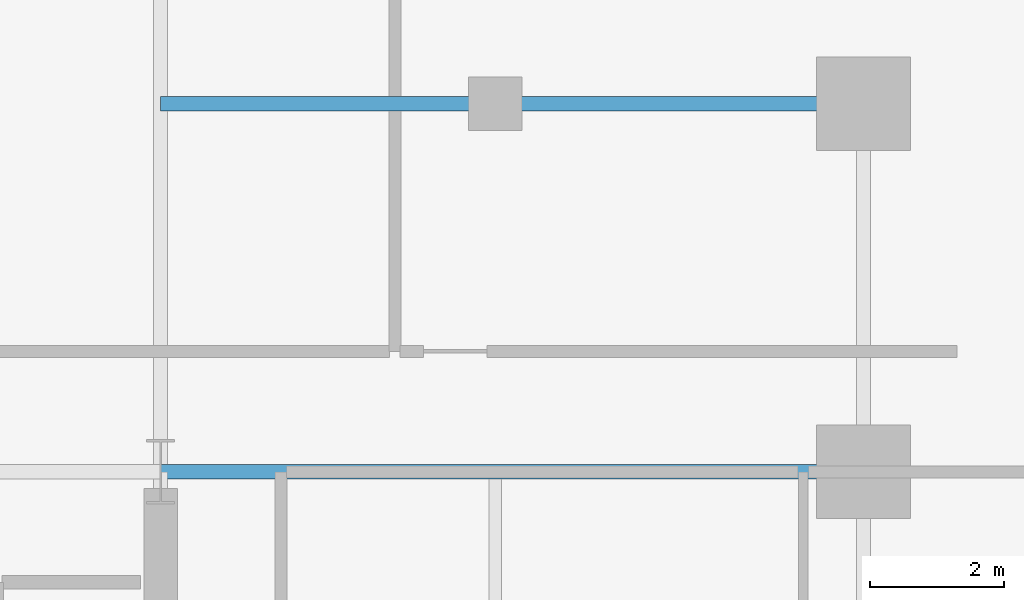
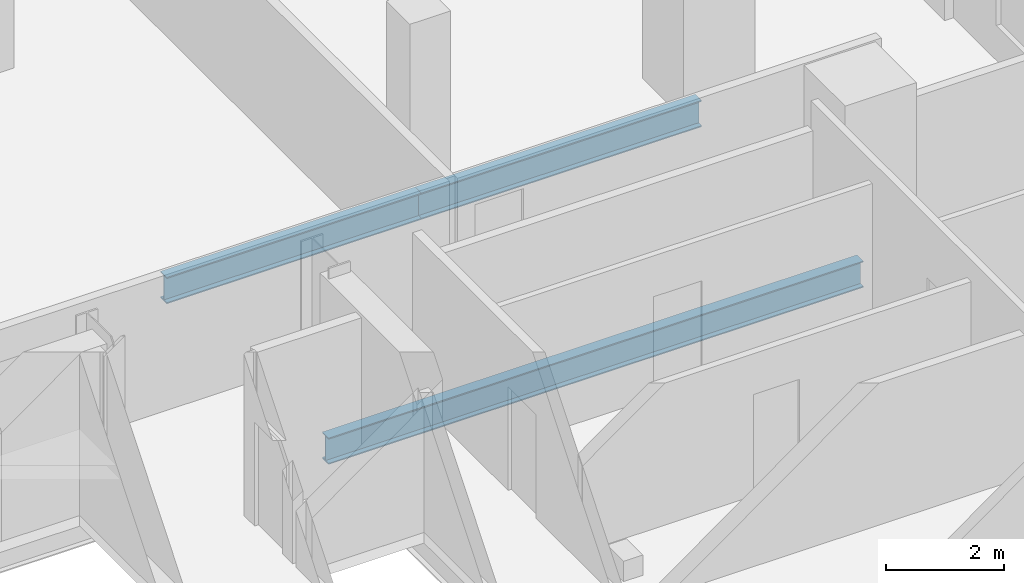
# One storey, part 14 of 23: 3 beams.
"""IFC4 building model written with IfcOpenShell, lengths in metres."""

from ifc_helpers import new_model, si_unit, direction, frame, origin, origin_2d, place, context, subcontext, project, spatial, i_section, extrude, material, material_profile, profile_set, type_object, element, save


model = new_model("IFC4")

# Units and contexts
model_context = context("Model", 3, precision=1e-05, world=origin(), true_north=direction((0.0, 1.0)))
body_context = subcontext(model_context, "Body", "Model", "MODEL_VIEW")
ifc_project = project(units=[si_unit("LENGTHUNIT", "METRE"), si_unit("AREAUNIT", "SQUARE_METRE"), si_unit("VOLUMEUNIT", "CUBIC_METRE"), si_unit("PLANEANGLEUNIT", "RADIAN"), si_unit("MASSUNIT", "GRAM", prefix="KILO")], contexts=[model_context])

# Site, building, storey
site_placement = place(None, origin())
site = spatial("IfcSite", under=ifc_project, at=site_placement, CompositionType="ELEMENT")
building_placement = place(site_placement, origin())
building = spatial("IfcBuilding", under=site, at=building_placement, Name="Barlavira Tower and Art Museum", CompositionType="ELEMENT")
storey_placement = place(building_placement, frame((0.0, 0.0, 68.39990234375)))
storey = spatial("IfcBuildingStorey", under=building, at=storey_placement, Name="L16", CompositionType="ELEMENT", Elevation=68.39990234375)

# Beams
ifc_material = material(Name="Steel S355", Category="steel")
ifc_material_profile = material_profile(ifc_material, i_section(OverallWidth=0.214111328125, OverallDepth=0.549072265625, WebThickness=0.0146484375, FlangeThickness=0.023681640625, at=origin_2d()), Name="W530x138.0")
ifc_profile_set = profile_set([ifc_material_profile], Name="Steel S355")
beam_type = type_object("IfcBeamType", Name="Zone 1 Primary Floor Girder W530x138 Steel S355", PredefinedType="BEAM", material=ifc_profile_set)
beam_1_placement = place(storey_placement, frame((6.5, 7.5, -0.494384765625), z_axis=(1.0, 0.0, 0.0), x_axis=(0.0, 1.0, 0.0)))
element("IfcBeam", 1, at=beam_1_placement, inside=storey, type_object=beam_type, Name="L16 Girder R-E2", PredefinedType="BEAM", context=body_context, shape_type="SweptSolid", body=[
    extrude(i_section(OverallWidth=0.214111328125, OverallDepth=0.549072265625, WebThickness=0.0146484375, FlangeThickness=0.023681640625, at=origin_2d()), origin(), (0.0, 0.0, 1.0), 10.5),
])
beam_2_placement = place(storey_placement, frame((6.5, 13.0, -0.494384765625), z_axis=(1.0, 0.0, 0.0), x_axis=(0.0, 1.0, 0.0)))
element("IfcBeam", 2, at=beam_2_placement, inside=storey, type_object=beam_type, Name="L16 Girder I-N3", PredefinedType="BEAM", context=body_context, shape_type="SweptSolid", body=[
    extrude(i_section(OverallWidth=0.214111328125, OverallDepth=0.549072265625, WebThickness=0.0146484375, FlangeThickness=0.023681640625, at=origin_2d()), origin(), (0.0, 0.0, 1.0), 5.0),
])
beam_3_placement = place(storey_placement, frame((11.5, 13.0, -0.494384765625), z_axis=(1.0, 0.0, 0.0), x_axis=(0.0, 1.0, 0.0)))
element("IfcBeam", 3, at=beam_3_placement, inside=storey, type_object=beam_type, Name="L16 Girder I-N4", PredefinedType="BEAM", context=body_context, shape_type="SweptSolid", body=[
    extrude(i_section(OverallWidth=0.214111328125, OverallDepth=0.549072265625, WebThickness=0.0146484375, FlangeThickness=0.023681640625, at=origin_2d()), origin(), (0.0, 0.0, 1.0), 5.5),
])

save(model, "model.ifc")
